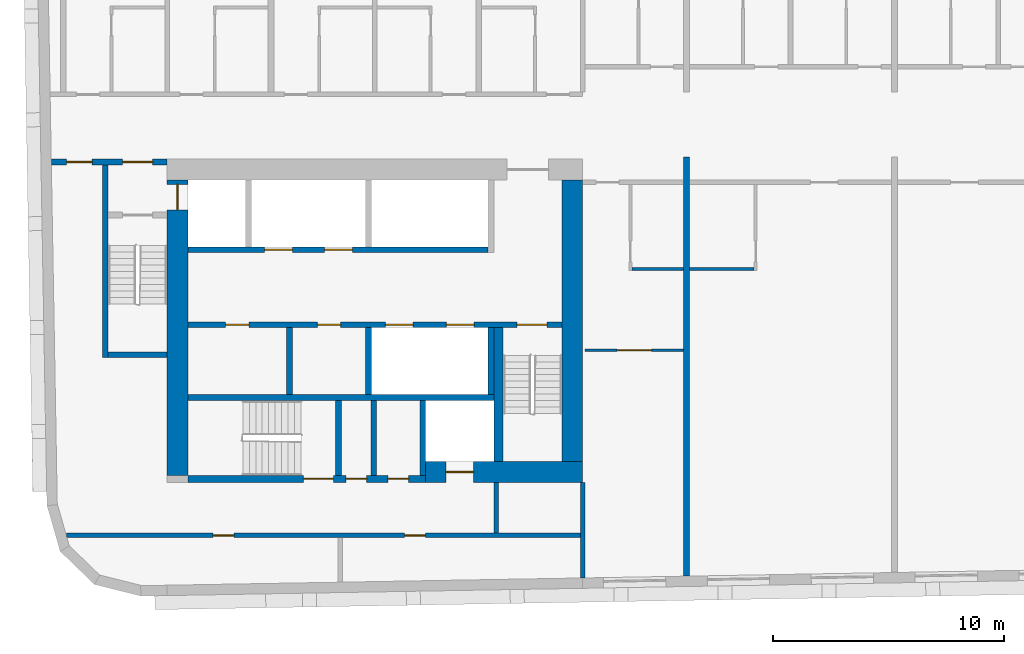
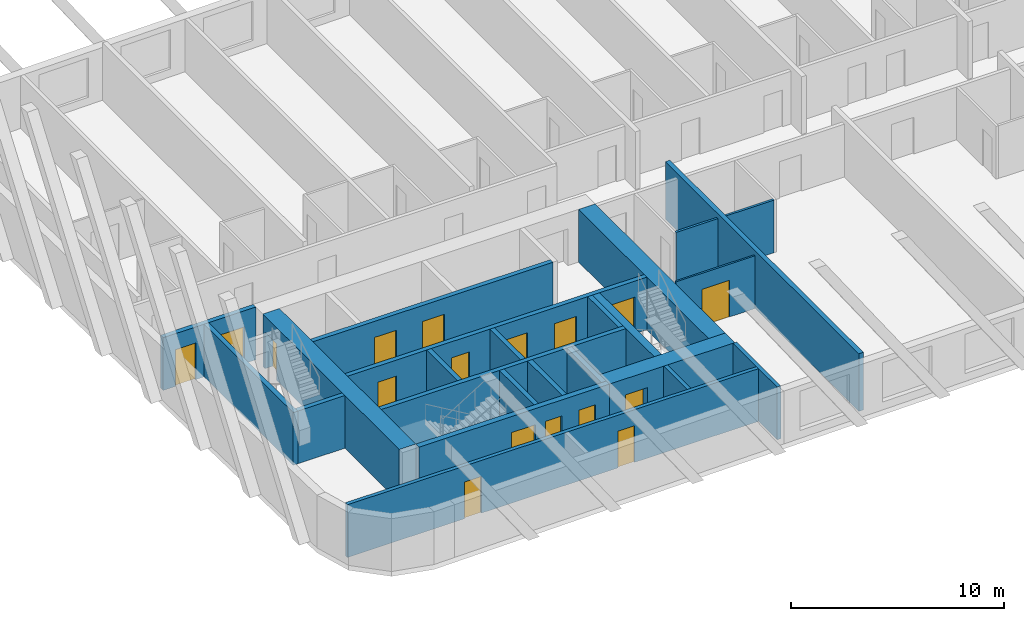
# One storey, part 2 of 13: 24 walls, 17 doors, 17 openings.
"""IFC4 building model written with IfcOpenShell, lengths in metres."""

from ifc_helpers import new_model, si_unit, direction, frame, frame_2d, origin, place, context, subcontext, project, spatial, rectangle, extrude, material, layer, layer_set, type_object, element, fill, save


model = new_model("IFC4")

# Units and contexts
model_context = context("Model", 3, precision=1e-05, world=origin(), true_north=direction((0.0, 1.0)))
body_context = subcontext(model_context, "Body", "Model", "MODEL_VIEW")
ifc_project = project(units=[si_unit("LENGTHUNIT", "METRE"), si_unit("AREAUNIT", "SQUARE_METRE"), si_unit("VOLUMEUNIT", "CUBIC_METRE"), si_unit("PLANEANGLEUNIT", "RADIAN"), si_unit("MASSUNIT", "GRAM", prefix="KILO")], contexts=[model_context])

# Site, building, storey
site_placement = place(None, origin())
site = spatial("IfcSite", under=ifc_project, at=site_placement, CompositionType="ELEMENT")
building_placement = place(site_placement, origin())
building = spatial("IfcBuilding", under=site, at=building_placement, Name="Kajstack Hotel Tower", CompositionType="ELEMENT")
storey_placement = place(building_placement, frame((0.0, 0.0, 237.5)))
storey = spatial("IfcBuildingStorey", under=building, at=storey_placement, Name="L58", CompositionType="ELEMENT", Elevation=237.5)

# Wall, opening, door
ifc_material_1 = material(Name="Concrete C60/75", Category="concrete")
ifc_layer_1 = layer(ifc_material_1, 0.89990234375)
ifc_layer_set_1 = layer_set([ifc_layer_1], Name="Core wall 900")
wall_type_1 = type_object("IfcWallType", Name="Core wall 900", PredefinedType="SHEAR", material=ifc_layer_set_1)
wall_1_placement = place(storey_placement, frame((-20.300048828125, -15.050048828125, 0.0), z_axis=(0.0, 0.0, 1.0), x_axis=(1.0, 0.0, 0.0)))
wall_1 = element("IfcWall", 1, at=wall_1_placement, inside=storey, type_object=wall_type_1, Name="Core wall W RS", PredefinedType="SHEAR", context=body_context, shape_type="SweptSolid", body=[
    extrude(rectangle(XDim=6.800048828125, YDim=0.89990234375, at=frame_2d((3.39990234375, 0.0))), origin(), (0.0, 0.0, 1.0), 3.02001953125),
])
opening_1_placement = place(wall_1_placement, frame((0.875, 0.0, 0.0)))
opening_1 = element("IfcOpeningElement", 2, at=opening_1_placement, cuts=wall_1, Name="Opening LD-SV1", PredefinedType="OPENING", context=body_context, shape_type="SweptSolid", body=[
    extrude(rectangle(XDim=1.199951171875, YDim=2.10009765625, at=frame_2d((0.60009765625, 1.050048828125))), frame((0.0, 0.4599609375, 0.0), z_axis=(0.0, -1.0, 0.0), x_axis=(1.0, 0.0, 0.0)), (0.0, 0.0, 1.0), 0.919921875),
])
ifc_material_2 = material(Name="Stainless steel", Category="steel")
door_type_1 = type_object("IfcDoorType", Name="Lift landing door 1200", OperationType="SLIDING_TO_LEFT", PredefinedType="DOOR", material=ifc_material_2)
door_1_placement = place(opening_1_placement, origin())
door_1 = element("IfcDoor", 3, at=door_1_placement, inside=storey, type_object=door_type_1, Name="Landing door SV1", OperationType="SLIDING_TO_LEFT", OverallHeight=2.10009765625, OverallWidth=1.199951171875, PredefinedType="DOOR", context=body_context, shape_type="SweptSolid", body=[
    extrude(rectangle(XDim=1.199951171875, YDim=2.10009765625, at=frame_2d((0.60009765625, 1.050048828125))), frame((0.0, 0.02490234375, 0.0), z_axis=(0.0, -1.0, 0.0), x_axis=(1.0, 0.0, 0.0)), (0.0, 0.0, 1.0), 0.050048828125),
])
fill(opening_1, door_1)

wall_2_placement = place(storey_placement, frame((-31.050048828125, -15.199951171875, 0.0), z_axis=(0.0, 0.0, 1.0), x_axis=(0.0, 1.0, 0.0)))
wall_2 = element("IfcWall", 4, at=wall_2_placement, inside=storey, type_object=wall_type_1, Name="Core wall W RW", PredefinedType="SHEAR", context=body_context, shape_type="SweptSolid", body=[
    extrude(rectangle(XDim=12.800048828125, YDim=0.89990234375, at=frame_2d((6.39990234375, 0.0))), origin(), (0.0, 0.0, 1.0), 3.02001953125),
])
opening_2_placement = place(wall_2_placement, frame((11.5, 0.0, 0.0)))
opening_2 = element("IfcOpeningElement", 5, at=opening_2_placement, cuts=wall_2, Name="Opening LD-FF1", PredefinedType="OPENING", context=body_context, shape_type="SweptSolid", body=[
    extrude(rectangle(XDim=1.10009765625, YDim=2.10009765625, at=frame_2d((0.550048828125, 1.050048828125))), frame((0.0, 0.4599609375, 0.0), z_axis=(0.0, -1.0, 0.0), x_axis=(1.0, 0.0, 0.0)), (0.0, 0.0, 1.0), 0.919921875),
])
door_type_2 = type_object("IfcDoorType", Name="Fire-fighting lift landing door 1100", OperationType="SLIDING_TO_LEFT", PredefinedType="DOOR", material=ifc_material_2)
door_2_placement = place(opening_2_placement, origin())
door_2 = element("IfcDoor", 6, at=door_2_placement, inside=storey, type_object=door_type_2, Name="Landing door FF1", OperationType="SLIDING_TO_RIGHT", OverallHeight=2.10009765625, OverallWidth=1.10009765625, PredefinedType="DOOR", context=body_context, shape_type="SweptSolid", body=[
    extrude(rectangle(XDim=1.10009765625, YDim=2.10009765625, at=frame_2d((0.550048828125, 1.050048828125))), frame((0.0, 0.02490234375, 0.0), z_axis=(0.0, -1.0, 0.0), x_axis=(1.0, 0.0, 0.0)), (0.0, 0.0, 1.0), 0.050048828125),
])
fill(opening_2, door_2)

# Walls
wall_3_placement = place(storey_placement, frame((-13.949951171875, -14.60009765625, 0.0), z_axis=(0.0, 0.0, 1.0), x_axis=(0.0, 1.0, 0.0)))
element("IfcWall", 7, at=wall_3_placement, inside=storey, type_object=wall_type_1, Name="Core wall W RE", PredefinedType="SHEAR", context=body_context, shape_type="SweptSolid", body=[
    extrude(rectangle(XDim=12.2001953125, YDim=0.89990234375, at=frame_2d((6.10009765625, 0.0))), origin(), (0.0, 0.0, 1.0), 3.02001953125),
])
ifc_material_3 = material(Name="Twin-frame gypsum board on steel studs, mineral wool", Category="steel")
ifc_layer_2 = layer(ifc_material_3, 0.199951171875)
ifc_layer_set_2 = layer_set([ifc_layer_2], Name="Demising wall 200")
wall_type_2 = type_object("IfcWallType", Name="Demising wall 200", PredefinedType="PARTITIONING", material=ifc_layer_set_2)
wall_4_placement = place(storey_placement, frame((-13.5, -19.64111328125, 0.0), z_axis=(0.0, 0.0, 1.0), x_axis=(0.0, 1.0, 0.0)))
element("IfcWall", 8, at=wall_4_placement, inside=storey, type_object=wall_type_2, Name="G-wall-L58-002", PredefinedType="PARTITIONING", context=body_context, shape_type="SweptSolid", body=[
    extrude(rectangle(XDim=4.14111328125, YDim=0.199951171875, at=frame_2d((2.070556640625, 0.0))), origin(), (0.0, 0.0, 1.0), 3.02001953125),
])
ifc_material_4 = material(Name="Gypsum board and tiled backer on steel studs", Category="steel")
ifc_layer_3 = layer(ifc_material_4, 0.125)
ifc_layer_set_3 = layer_set([ifc_layer_3], Name="En-suite wall 125")
wall_type_3 = type_object("IfcWallType", Name="En-suite wall 125", PredefinedType="PARTITIONING", material=ifc_layer_set_3)
wall_5_placement = place(storey_placement, frame((-11.375, -6.262939453125, 0.0), z_axis=(0.0, 0.0, 1.0), x_axis=(1.0, 0.0, 0.0)))
element("IfcWall", 9, at=wall_5_placement, inside=storey, type_object=wall_type_3, Name="G-wall-L58-036", PredefinedType="PARTITIONING", context=body_context, shape_type="SweptSolid", body=[
    extrude(rectangle(XDim=2.25, YDim=0.125, at=frame_2d((1.125, 0.0))), origin(), (0.0, 0.0, 1.0), 3.02001953125),
])
wall_6_placement = place(storey_placement, frame((-8.875, -6.262939453125, 0.0), z_axis=(0.0, 0.0, 1.0), x_axis=(1.0, 0.0, 0.0)))
element("IfcWall", 10, at=wall_6_placement, inside=storey, type_object=wall_type_3, Name="G-wall-L58-039", PredefinedType="PARTITIONING", context=body_context, shape_type="SweptSolid", body=[
    extrude(rectangle(XDim=2.800048828125, YDim=0.125, at=frame_2d((1.39990234375, 0.0))), origin(), (0.0, 0.0, 1.0), 3.02001953125),
])
ifc_material_5 = material(Name="Concrete C50/60", Category="concrete")
ifc_layer_4 = layer(ifc_material_5, 0.300048828125)
ifc_layer_set_4 = layer_set([ifc_layer_4], Name="Hoistway divider wall 300")
wall_type_4 = type_object("IfcWallType", Name="Hoistway divider wall 300", PredefinedType="SHEAR", material=ifc_layer_set_4)
wall_7_placement = place(storey_placement, frame((-22.77490234375, -11.699951171875, 0.0), z_axis=(0.0, 0.0, 1.0), x_axis=(0.0, 1.0, 0.0)))
element("IfcWall", 11, at=wall_7_placement, inside=storey, type_object=wall_type_4, Name="Core wall W BP2", PredefinedType="SHEAR", context=body_context, shape_type="SweptSolid", body=[
    extrude(rectangle(XDim=2.89990234375, YDim=0.25, at=frame_2d((1.449951171875, 0.0))), origin(), (0.0, 0.0, 1.0), 3.02001953125),
])

# Wall, opening, door
ifc_material_6 = material(Name="Gypsum board on steel studs", Category="steel")
ifc_layer_5 = layer(ifc_material_6, 0.10009765625)
ifc_layer_set_5 = layer_set([ifc_layer_5], Name="Partition 100")
wall_type_5 = type_object("IfcWallType", Name="Partition 100", PredefinedType="PARTITIONING", material=ifc_layer_set_5)
wall_8_placement = place(storey_placement, frame((-13.39990234375, -9.77490234375, 0.0), z_axis=(0.0, 0.0, 1.0), x_axis=(1.0, 0.0, 0.0)))
wall_8 = element("IfcWall", 12, at=wall_8_placement, inside=storey, type_object=wall_type_5, Name="G-wall-L58-037", PredefinedType="PARTITIONING", context=body_context, shape_type="SweptSolid", body=[
    extrude(rectangle(XDim=4.27490234375, YDim=0.10009765625, at=frame_2d((2.137451171875, 0.0))), origin(), (0.0, 0.0, 1.0), 3.02001953125),
])
opening_3_placement = place(wall_8_placement, frame((1.387939453125, 0.0, 0.0)))
opening_3 = element("IfcOpeningElement", 13, at=opening_3_placement, cuts=wall_8, Name="Opening 58026", PredefinedType="OPENING", context=body_context, shape_type="SweptSolid", body=[
    extrude(rectangle(XDim=1.5, YDim=2.10009765625, at=frame_2d((0.75, 1.050048828125))), frame((0.0, 0.06005859375, 0.0), z_axis=(0.0, -1.0, 0.0), x_axis=(1.0, 0.0, 0.0)), (0.0, 0.0, 1.0), 0.1201171875),
])
ifc_material_7 = material(Name="Painted timber door leaves, glazed panels", Category="wood")
door_type_3 = type_object("IfcDoorType", Name="Double door 1500", OperationType="SINGLE_SWING_LEFT", PredefinedType="DOOR", material=ifc_material_7)
door_3_placement = place(opening_3_placement, origin())
door_3 = element("IfcDoor", 14, at=door_3_placement, inside=storey, type_object=door_type_3, Name="G-door-L58-26", OperationType="SINGLE_SWING_LEFT", OverallHeight=2.10009765625, OverallWidth=1.5, PredefinedType="DOOR", context=body_context, shape_type="SweptSolid", body=[
    extrude(rectangle(XDim=1.5, YDim=2.10009765625, at=frame_2d((0.75, 1.050048828125))), frame((0.0, 0.02490234375, 0.0), z_axis=(0.0, -1.0, 0.0), x_axis=(1.0, 0.0, 0.0)), (0.0, 0.0, 1.0), 0.050048828125),
])
fill(opening_3, door_3)

# Walls
ifc_material_8 = material(Name="Concrete C45/55", Category="concrete")
ifc_layer_6 = layer(ifc_material_8, 0.25)
ifc_layer_set_6 = layer_set([ifc_layer_6], Name="RC cross wall 250 C45/55")
wall_type_6 = type_object("IfcWallType", Name="RC cross wall 250 C45/55", PredefinedType="SHEAR", material=ifc_layer_set_6)
wall_9_placement = place(storey_placement, frame((-9.0, -19.55029296875, 0.0), z_axis=(0.0, 0.0, 1.0), x_axis=(0.0, 1.0, 0.0)))
element("IfcWall", 15, at=wall_9_placement, inside=storey, type_object=wall_type_6, Name="S-wall-L58-04", PredefinedType="SHEAR", context=body_context, shape_type="SweptSolid", body=[
    extrude(rectangle(XDim=18.150390625, YDim=0.25, at=frame_2d((9.0751953125, 0.0))), origin(), (0.0, 0.0, 1.0), 3.300048828125),
])
ifc_material_9 = material(Name="Concrete block masonry", Category="masonry")
ifc_layer_7 = layer(ifc_material_9, 0.25)
ifc_layer_set_7 = layer_set([ifc_layer_7], Name="Riser partition 250")
wall_type_7 = type_object("IfcWallType", Name="Riser partition 250", PredefinedType="PARTITIONING", material=ifc_layer_set_7)
wall_10_placement = place(storey_placement, frame((-26.199951171875, -11.699951171875, 0.0), z_axis=(0.0, 0.0, 1.0), x_axis=(0.0, 1.0, 0.0)))
element("IfcWall", 16, at=wall_10_placement, inside=storey, type_object=wall_type_7, Name="Partition W BF0", PredefinedType="PARTITIONING", context=body_context, shape_type="SweptSolid", body=[
    extrude(rectangle(XDim=2.89990234375, YDim=0.25, at=frame_2d((1.449951171875, 0.0))), origin(), (0.0, 0.0, 1.0), 3.02001953125),
])
wall_11_placement = place(storey_placement, frame((-22.550048828125, -15.199951171875, 0.0), z_axis=(0.0, 0.0, 1.0), x_axis=(0.0, 1.0, 0.0)))
element("IfcWall", 17, at=wall_11_placement, inside=storey, type_object=wall_type_7, Name="Partition W SZ0", PredefinedType="PARTITIONING", context=body_context, shape_type="SweptSolid", body=[
    extrude(rectangle(XDim=3.25, YDim=0.25, at=frame_2d((1.625, 0.0))), origin(), (0.0, 0.0, 1.0), 3.02001953125),
])

# Wall, openings, doors
ifc_material_10 = material(Name="Gypsum board on steel studs, mineral wool", Category="steel")
ifc_layer_8 = layer(ifc_material_10, 0.199951171875)
ifc_layer_set_8 = layer_set([ifc_layer_8], Name="Service partition 200")
wall_type_8 = type_object("IfcWallType", Name="Service partition 200", PredefinedType="PARTITIONING", material=ifc_layer_set_8)
wall_12_placement = place(storey_placement, frame((-36.515380859375, -1.625, 0.0), z_axis=(0.0, 0.0, 1.0), x_axis=(1.0, 0.0, 0.0)))
wall_12 = element("IfcWall", 18, at=wall_12_placement, inside=storey, type_object=wall_type_8, Name="Partition W SN", PredefinedType="PARTITIONING", context=body_context, shape_type="SweptSolid", body=[
    extrude(rectangle(XDim=5.015380859375, YDim=0.25, at=frame_2d((2.5078125, 0.0))), origin(), (0.0, 0.0, 1.0), 3.02001953125),
])
opening_4_placement = place(wall_12_placement, frame((3.09033203125, 0.0, 0.0)))
opening_4 = element("IfcOpeningElement", 19, at=opening_4_placement, cuts=wall_12, Name="Opening 58W08", PredefinedType="OPENING", context=body_context, shape_type="SweptSolid", body=[
    extrude(rectangle(XDim=1.300048828125, YDim=2.10009765625, at=frame_2d((0.64990234375, 1.050048828125))), frame((0.0, 0.135009765625, 0.0), z_axis=(0.0, -1.0, 0.0), x_axis=(1.0, 0.0, 0.0)), (0.0, 0.0, 1.0), 0.27001953125),
])
opening_5_placement = place(wall_12_placement, frame((0.665283203125, 0.0, 0.0)))
opening_5 = element("IfcOpeningElement", 20, at=opening_5_placement, cuts=wall_12, Name="Opening 58W10", PredefinedType="OPENING", context=body_context, shape_type="SweptSolid", body=[
    extrude(rectangle(XDim=1.10009765625, YDim=2.10009765625, at=frame_2d((0.550048828125, 1.050048828125))), frame((0.0, 0.135009765625, 0.0), z_axis=(0.0, -1.0, 0.0), x_axis=(1.0, 0.0, 0.0)), (0.0, 0.0, 1.0), 0.27001953125),
])
ifc_material_11 = material(Name="Steel leaf, fire-rated", Category="steel")
door_type_4 = type_object("IfcDoorType", Name="Fire lobby door 1300", OperationType="SINGLE_SWING_LEFT", PredefinedType="DOOR", material=ifc_material_11)
door_4_placement = place(opening_4_placement, origin())
door_4 = element("IfcDoor", 21, at=door_4_placement, inside=storey, type_object=door_type_4, Name="Door 58W08", OperationType="SINGLE_SWING_RIGHT", OverallHeight=2.10009765625, OverallWidth=1.300048828125, PredefinedType="DOOR", context=body_context, shape_type="SweptSolid", body=[
    extrude(rectangle(XDim=1.300048828125, YDim=2.10009765625, at=frame_2d((0.64990234375, 1.050048828125))), frame((0.0, 0.02490234375, 0.0), z_axis=(0.0, -1.0, 0.0), x_axis=(1.0, 0.0, 0.0)), (0.0, 0.0, 1.0), 0.050048828125),
])
fill(opening_4, door_4)
ifc_material_12 = material(Name="Timber leaf, fire-rated", Category="wood")
door_type_5 = type_object("IfcDoorType", Name="Service corridor door 1100", OperationType="SINGLE_SWING_LEFT", PredefinedType="DOOR", material=ifc_material_12)
door_5_placement = place(opening_5_placement, origin())
door_5 = element("IfcDoor", 22, at=door_5_placement, inside=storey, type_object=door_type_5, Name="Door 58W10", OperationType="SINGLE_SWING_RIGHT", OverallHeight=2.10009765625, OverallWidth=1.10009765625, PredefinedType="DOOR", context=body_context, shape_type="SweptSolid", body=[
    extrude(rectangle(XDim=1.10009765625, YDim=2.10009765625, at=frame_2d((0.550048828125, 1.050048828125))), frame((0.0, 0.02490234375, 0.0), z_axis=(0.0, -1.0, 0.0), x_axis=(1.0, 0.0, 0.0)), (0.0, 0.0, 1.0), 0.050048828125),
])
fill(opening_5, door_5)

# Wall
wall_13_placement = place(storey_placement, frame((-17.25, -17.699951171875, 0.0), z_axis=(0.0, 0.0, 1.0), x_axis=(0.0, 1.0, 0.0)))
element("IfcWall", 23, at=wall_13_placement, inside=storey, type_object=wall_type_8, Name="Partition W SCE", PredefinedType="PARTITIONING", context=body_context, shape_type="SweptSolid", body=[
    extrude(rectangle(XDim=2.199951171875, YDim=0.199951171875, at=frame_2d((1.10009765625, 0.0))), origin(), (0.0, 0.0, 1.0), 3.02001953125),
])

# Wall, openings, doors
wall_14_placement = place(storey_placement, frame((-35.86376953125, -17.800048828125, 0.0), z_axis=(0.0, 0.0, 1.0), x_axis=(1.0, 0.0, 0.0)))
wall_14 = element("IfcWall", 24, at=wall_14_placement, inside=storey, type_object=wall_type_8, Name="Partition W SLN", PredefinedType="PARTITIONING", context=body_context, shape_type="SweptSolid", body=[
    extrude(rectangle(XDim=22.263671875, YDim=0.199951171875, at=frame_2d((11.1318359375, 0.0))), origin(), (0.0, 0.0, 1.0), 3.02001953125),
])
opening_6_placement = place(wall_14_placement, frame((6.351318359375, 0.0, 0.0)))
opening_6 = element("IfcOpeningElement", 25, at=opening_6_placement, cuts=wall_14, Name="Opening 58W17", PredefinedType="OPENING", context=body_context, shape_type="SweptSolid", body=[
    extrude(rectangle(XDim=0.89990234375, YDim=2.10009765625, at=frame_2d((0.449951171875, 1.050048828125))), frame((0.0, 0.10986328125, 0.0), z_axis=(0.0, -1.0, 0.0), x_axis=(1.0, 0.0, 0.0)), (0.0, 0.0, 1.0), 0.219970703125),
])
opening_7_placement = place(wall_14_placement, frame((14.651123046875, 0.0, 0.0)))
opening_7 = element("IfcOpeningElement", 26, at=opening_7_placement, cuts=wall_14, Name="Opening 58W18", PredefinedType="OPENING", context=body_context, shape_type="SweptSolid", body=[
    extrude(rectangle(XDim=0.89990234375, YDim=2.10009765625, at=frame_2d((0.449951171875, 1.050048828125))), frame((0.0, 0.10986328125, 0.0), z_axis=(0.0, -1.0, 0.0), x_axis=(1.0, 0.0, 0.0)), (0.0, 0.0, 1.0), 0.219970703125),
])
door_type_6 = type_object("IfcDoorType", Name="Service door 900", OperationType="SINGLE_SWING_LEFT", PredefinedType="DOOR", material=ifc_material_12)
door_6_placement = place(opening_6_placement, origin())
door_6 = element("IfcDoor", 27, at=door_6_placement, inside=storey, type_object=door_type_6, Name="Door 58W17", OperationType="SINGLE_SWING_RIGHT", OverallHeight=2.10009765625, OverallWidth=0.89990234375, PredefinedType="DOOR", context=body_context, shape_type="SweptSolid", body=[
    extrude(rectangle(XDim=0.89990234375, YDim=2.10009765625, at=frame_2d((0.449951171875, 1.050048828125))), frame((0.0, 0.02490234375, 0.0), z_axis=(0.0, -1.0, 0.0), x_axis=(1.0, 0.0, 0.0)), (0.0, 0.0, 1.0), 0.050048828125),
])
fill(opening_6, door_6)
door_7_placement = place(opening_7_placement, origin())
door_7 = element("IfcDoor", 28, at=door_7_placement, inside=storey, type_object=door_type_6, Name="Door 58W18", OperationType="SINGLE_SWING_RIGHT", OverallHeight=2.10009765625, OverallWidth=0.89990234375, PredefinedType="DOOR", context=body_context, shape_type="SweptSolid", body=[
    extrude(rectangle(XDim=0.89990234375, YDim=2.10009765625, at=frame_2d((0.449951171875, 1.050048828125))), frame((0.0, 0.02490234375, 0.0), z_axis=(0.0, -1.0, 0.0), x_axis=(1.0, 0.0, 0.0)), (0.0, 0.0, 1.0), 0.050048828125),
])
fill(opening_7, door_7)

ifc_layer_9 = layer(ifc_material_5, 0.25)
ifc_layer_set_9 = layer_set([ifc_layer_9], Name="Shaft wall 250")
wall_type_9 = type_object("IfcWallType", Name="Shaft wall 250", PredefinedType="SHEAR", material=ifc_layer_set_9)
wall_15_placement = place(storey_placement, frame((-30.60009765625, -15.35009765625, 0.0), z_axis=(0.0, 0.0, 1.0), x_axis=(1.0, 0.0, 0.0)))
wall_15 = element("IfcWall", 29, at=wall_15_placement, inside=storey, type_object=wall_type_9, Name="Core wall W RSS", PredefinedType="SHEAR", context=body_context, shape_type="SweptSolid", body=[
    extrude(rectangle(XDim=10.300048828125, YDim=0.300048828125, at=frame_2d((5.14990234375, 0.0))), origin(), (0.0, 0.0, 1.0), 3.02001953125),
])
opening_8_placement = place(wall_15_placement, frame((5.0, 0.0, 0.0)))
opening_8 = element("IfcOpeningElement", 30, at=opening_8_placement, cuts=wall_15, Name="Opening 58W12", PredefinedType="OPENING", context=body_context, shape_type="SweptSolid", body=[
    extrude(rectangle(XDim=1.300048828125, YDim=2.10009765625, at=frame_2d((0.64990234375, 1.050048828125))), frame((0.0, 0.159912109375, 0.0), z_axis=(0.0, -1.0, 0.0), x_axis=(1.0, 0.0, 0.0)), (0.0, 0.0, 1.0), 0.320068359375),
])
opening_9_placement = place(wall_15_placement, frame((6.83740234375, 0.0, 0.0)))
opening_9 = element("IfcOpeningElement", 31, at=opening_9_placement, cuts=wall_15, Name="Opening 58W13", PredefinedType="OPENING", context=body_context, shape_type="SweptSolid", body=[
    extrude(rectangle(XDim=0.89990234375, YDim=2.10009765625, at=frame_2d((0.449951171875, 1.050048828125))), frame((0.0, 0.159912109375, 0.0), z_axis=(0.0, -1.0, 0.0), x_axis=(1.0, 0.0, 0.0)), (0.0, 0.0, 1.0), 0.320068359375),
])
opening_10_placement = place(wall_15_placement, frame((8.66259765625, 0.0, 0.0)))
opening_10 = element("IfcOpeningElement", 32, at=opening_10_placement, cuts=wall_15, Name="Opening 58W14", PredefinedType="OPENING", context=body_context, shape_type="SweptSolid", body=[
    extrude(rectangle(XDim=0.89990234375, YDim=2.10009765625, at=frame_2d((0.449951171875, 1.050048828125))), frame((0.0, 0.159912109375, 0.0), z_axis=(0.0, -1.0, 0.0), x_axis=(1.0, 0.0, 0.0)), (0.0, 0.0, 1.0), 0.320068359375),
])
door_type_7 = type_object("IfcDoorType", Name="Riser door 900", OperationType="SINGLE_SWING_LEFT", PredefinedType="DOOR", material=ifc_material_11)
door_8_placement = place(opening_10_placement, origin())
door_8 = element("IfcDoor", 33, at=door_8_placement, inside=storey, type_object=door_type_7, Name="Door 58W14", OperationType="SINGLE_SWING_LEFT", OverallHeight=2.10009765625, OverallWidth=0.89990234375, PredefinedType="DOOR", context=body_context, shape_type="SweptSolid", body=[
    extrude(rectangle(XDim=0.89990234375, YDim=2.10009765625, at=frame_2d((0.449951171875, 1.050048828125))), frame((0.0, 0.02490234375, 0.0), z_axis=(0.0, -1.0, 0.0), x_axis=(1.0, 0.0, 0.0)), (0.0, 0.0, 1.0), 0.050048828125),
])
fill(opening_10, door_8)
door_9_placement = place(opening_9_placement, origin())
door_9 = element("IfcDoor", 34, at=door_9_placement, inside=storey, type_object=door_type_6, Name="Door 58W13", OperationType="SINGLE_SWING_LEFT", OverallHeight=2.10009765625, OverallWidth=0.89990234375, PredefinedType="DOOR", context=body_context, shape_type="SweptSolid", body=[
    extrude(rectangle(XDim=0.89990234375, YDim=2.10009765625, at=frame_2d((0.449951171875, 1.050048828125))), frame((0.0, 0.02490234375, 0.0), z_axis=(0.0, -1.0, 0.0), x_axis=(1.0, 0.0, 0.0)), (0.0, 0.0, 1.0), 0.050048828125),
])
fill(opening_9, door_9)
door_type_8 = type_object("IfcDoorType", Name="Stair door 1300", OperationType="SINGLE_SWING_LEFT", PredefinedType="DOOR", material=ifc_material_11)
door_10_placement = place(opening_8_placement, origin())
door_10 = element("IfcDoor", 35, at=door_10_placement, inside=storey, type_object=door_type_8, Name="Door 58W12", OperationType="SINGLE_SWING_RIGHT", OverallHeight=2.10009765625, OverallWidth=1.300048828125, PredefinedType="DOOR", context=body_context, shape_type="SweptSolid", body=[
    extrude(rectangle(XDim=1.300048828125, YDim=2.10009765625, at=frame_2d((0.64990234375, 1.050048828125))), frame((0.0, 0.02490234375, 0.0), z_axis=(0.0, -1.0, 0.0), x_axis=(1.0, 0.0, 0.0)), (0.0, 0.0, 1.0), 0.050048828125),
])
fill(opening_8, door_10)

wall_16_placement = place(storey_placement, frame((-30.60009765625, -5.425048828125, 0.0), z_axis=(0.0, 0.0, 1.0), x_axis=(1.0, 0.0, 0.0)))
wall_16 = element("IfcWall", 36, at=wall_16_placement, inside=storey, type_object=wall_type_9, Name="Core wall W FA", PredefinedType="SHEAR", context=body_context, shape_type="SweptSolid", body=[
    extrude(rectangle(XDim=13.0, YDim=0.25, at=frame_2d((6.5, 0.0))), origin(), (0.0, 0.0, 1.0), 3.02001953125),
])
opening_11_placement = place(wall_16_placement, frame((3.324951171875, 0.0, 0.0)))
opening_11 = element("IfcOpeningElement", 37, at=opening_11_placement, cuts=wall_16, Name="Opening LD-MR3", PredefinedType="OPENING", context=body_context, shape_type="SweptSolid", body=[
    extrude(rectangle(XDim=1.199951171875, YDim=2.10009765625, at=frame_2d((0.60009765625, 1.050048828125))), frame((0.0, 0.135009765625, 0.0), z_axis=(0.0, -1.0, 0.0), x_axis=(1.0, 0.0, 0.0)), (0.0, 0.0, 1.0), 0.27001953125),
])
opening_12_placement = place(wall_16_placement, frame((5.925048828125, 0.0, 0.0)))
opening_12 = element("IfcOpeningElement", 38, at=opening_12_placement, cuts=wall_16, Name="Opening LD-MR4", PredefinedType="OPENING", context=body_context, shape_type="SweptSolid", body=[
    extrude(rectangle(XDim=1.199951171875, YDim=2.10009765625, at=frame_2d((0.60009765625, 1.050048828125))), frame((0.0, 0.135009765625, 0.0), z_axis=(0.0, -1.0, 0.0), x_axis=(1.0, 0.0, 0.0)), (0.0, 0.0, 1.0), 0.27001953125),
])
door_11_placement = place(opening_11_placement, origin())
door_11 = element("IfcDoor", 39, at=door_11_placement, inside=storey, type_object=door_type_1, Name="Landing door MR3", OperationType="SLIDING_TO_RIGHT", OverallHeight=2.10009765625, OverallWidth=1.199951171875, PredefinedType="DOOR", context=body_context, shape_type="SweptSolid", body=[
    extrude(rectangle(XDim=1.199951171875, YDim=2.10009765625, at=frame_2d((0.60009765625, 1.050048828125))), frame((0.0, 0.02490234375, 0.0), z_axis=(0.0, -1.0, 0.0), x_axis=(1.0, 0.0, 0.0)), (0.0, 0.0, 1.0), 0.050048828125),
])
fill(opening_11, door_11)
door_12_placement = place(opening_12_placement, origin())
door_12 = element("IfcDoor", 40, at=door_12_placement, inside=storey, type_object=door_type_1, Name="Landing door MR4", OperationType="SLIDING_TO_RIGHT", OverallHeight=2.10009765625, OverallWidth=1.199951171875, PredefinedType="DOOR", context=body_context, shape_type="SweptSolid", body=[
    extrude(rectangle(XDim=1.199951171875, YDim=2.10009765625, at=frame_2d((0.60009765625, 1.050048828125))), frame((0.0, 0.02490234375, 0.0), z_axis=(0.0, -1.0, 0.0), x_axis=(1.0, 0.0, 0.0)), (0.0, 0.0, 1.0), 0.050048828125),
])
fill(opening_12, door_12)

wall_17_placement = place(storey_placement, frame((-30.60009765625, -8.675048828125, 0.0), z_axis=(0.0, 0.0, 1.0), x_axis=(1.0, 0.0, 0.0)))
wall_17 = element("IfcWall", 41, at=wall_17_placement, inside=storey, type_object=wall_type_9, Name="Core wall W FB", PredefinedType="SHEAR", context=body_context, shape_type="SweptSolid", body=[
    extrude(rectangle(XDim=16.2001953125, YDim=0.25, at=frame_2d((8.10009765625, 0.0))), origin(), (0.0, 0.0, 1.0), 3.02001953125),
])
opening_13_placement = place(wall_17_placement, frame((8.550048828125, 0.0, 0.0)))
opening_13 = element("IfcOpeningElement", 42, at=opening_13_placement, cuts=wall_17, Name="Opening LD-MR1", PredefinedType="OPENING", context=body_context, shape_type="SweptSolid", body=[
    extrude(rectangle(XDim=1.199951171875, YDim=2.10009765625, at=frame_2d((0.60009765625, 1.050048828125))), frame((0.0, 0.135009765625, 0.0), z_axis=(0.0, -1.0, 0.0), x_axis=(1.0, 0.0, 0.0)), (0.0, 0.0, 1.0), 0.27001953125),
])
opening_14_placement = place(wall_17_placement, frame((11.199951171875, 0.0, 0.0)))
opening_14 = element("IfcOpeningElement", 43, at=opening_14_placement, cuts=wall_17, Name="Opening LD-MR2", PredefinedType="OPENING", context=body_context, shape_type="SweptSolid", body=[
    extrude(rectangle(XDim=1.199951171875, YDim=2.10009765625, at=frame_2d((0.60009765625, 1.050048828125))), frame((0.0, 0.135009765625, 0.0), z_axis=(0.0, -1.0, 0.0), x_axis=(1.0, 0.0, 0.0)), (0.0, 0.0, 1.0), 0.27001953125),
])
opening_15_placement = place(wall_17_placement, frame((14.25, 0.0, 0.0)))
opening_15 = element("IfcOpeningElement", 44, at=opening_15_placement, cuts=wall_17, Name="Opening 58W11", PredefinedType="OPENING", context=body_context, shape_type="SweptSolid", body=[
    extrude(rectangle(XDim=1.300048828125, YDim=2.10009765625, at=frame_2d((0.64990234375, 1.050048828125))), frame((0.0, 0.135009765625, 0.0), z_axis=(0.0, -1.0, 0.0), x_axis=(1.0, 0.0, 0.0)), (0.0, 0.0, 1.0), 0.27001953125),
])
opening_16_placement = place(wall_17_placement, frame((1.637451171875, 0.0, 0.0)))
opening_16 = element("IfcOpeningElement", 45, at=opening_16_placement, cuts=wall_17, Name="Opening 58W15", PredefinedType="OPENING", context=body_context, shape_type="SweptSolid", body=[
    extrude(rectangle(XDim=1.0, YDim=2.10009765625, at=frame_2d((0.5, 1.050048828125))), frame((0.0, 0.135009765625, 0.0), z_axis=(0.0, -1.0, 0.0), x_axis=(1.0, 0.0, 0.0)), (0.0, 0.0, 1.0), 0.27001953125),
])
opening_17_placement = place(wall_17_placement, frame((5.612548828125, 0.0, 0.0)))
opening_17 = element("IfcOpeningElement", 46, at=opening_17_placement, cuts=wall_17, Name="Opening 58W16", PredefinedType="OPENING", context=body_context, shape_type="SweptSolid", body=[
    extrude(rectangle(XDim=1.0, YDim=2.10009765625, at=frame_2d((0.5, 1.050048828125))), frame((0.0, 0.135009765625, 0.0), z_axis=(0.0, -1.0, 0.0), x_axis=(1.0, 0.0, 0.0)), (0.0, 0.0, 1.0), 0.27001953125),
])
door_13_placement = place(opening_13_placement, origin())
door_13 = element("IfcDoor", 47, at=door_13_placement, inside=storey, type_object=door_type_1, Name="Landing door MR1", OperationType="SLIDING_TO_LEFT", OverallHeight=2.10009765625, OverallWidth=1.199951171875, PredefinedType="DOOR", context=body_context, shape_type="SweptSolid", body=[
    extrude(rectangle(XDim=1.199951171875, YDim=2.10009765625, at=frame_2d((0.60009765625, 1.050048828125))), frame((0.0, 0.02490234375, 0.0), z_axis=(0.0, -1.0, 0.0), x_axis=(1.0, 0.0, 0.0)), (0.0, 0.0, 1.0), 0.050048828125),
])
fill(opening_13, door_13)
door_14_placement = place(opening_14_placement, origin())
door_14 = element("IfcDoor", 48, at=door_14_placement, inside=storey, type_object=door_type_1, Name="Landing door MR2", OperationType="SLIDING_TO_RIGHT", OverallHeight=2.10009765625, OverallWidth=1.199951171875, PredefinedType="DOOR", context=body_context, shape_type="SweptSolid", body=[
    extrude(rectangle(XDim=1.199951171875, YDim=2.10009765625, at=frame_2d((0.60009765625, 1.050048828125))), frame((0.0, 0.02490234375, 0.0), z_axis=(0.0, -1.0, 0.0), x_axis=(1.0, 0.0, 0.0)), (0.0, 0.0, 1.0), 0.050048828125),
])
fill(opening_14, door_14)
door_type_9 = type_object("IfcDoorType", Name="Service room door 1000", OperationType="SINGLE_SWING_LEFT", PredefinedType="DOOR", material=ifc_material_12)
door_15_placement = place(opening_16_placement, origin())
door_15 = element("IfcDoor", 49, at=door_15_placement, inside=storey, type_object=door_type_9, Name="Door 58W15", OperationType="SINGLE_SWING_RIGHT", OverallHeight=2.10009765625, OverallWidth=1.0, PredefinedType="DOOR", context=body_context, shape_type="SweptSolid", body=[
    extrude(rectangle(XDim=1.0, YDim=2.10009765625, at=frame_2d((0.5, 1.050048828125))), frame((0.0, 0.02490234375, 0.0), z_axis=(0.0, -1.0, 0.0), x_axis=(1.0, 0.0, 0.0)), (0.0, 0.0, 1.0), 0.050048828125),
])
fill(opening_16, door_15)
door_16_placement = place(opening_17_placement, origin())
door_16 = element("IfcDoor", 50, at=door_16_placement, inside=storey, type_object=door_type_9, Name="Door 58W16", OperationType="SINGLE_SWING_RIGHT", OverallHeight=2.10009765625, OverallWidth=1.0, PredefinedType="DOOR", context=body_context, shape_type="SweptSolid", body=[
    extrude(rectangle(XDim=1.0, YDim=2.10009765625, at=frame_2d((0.5, 1.050048828125))), frame((0.0, 0.02490234375, 0.0), z_axis=(0.0, -1.0, 0.0), x_axis=(1.0, 0.0, 0.0)), (0.0, 0.0, 1.0), 0.050048828125),
])
fill(opening_17, door_16)
door_17_placement = place(opening_15_placement, origin())
door_17 = element("IfcDoor", 51, at=door_17_placement, inside=storey, type_object=door_type_8, Name="Door 58W11", OperationType="SINGLE_SWING_RIGHT", OverallHeight=2.10009765625, OverallWidth=1.300048828125, PredefinedType="DOOR", context=body_context, shape_type="SweptSolid", body=[
    extrude(rectangle(XDim=1.300048828125, YDim=2.10009765625, at=frame_2d((0.64990234375, 1.050048828125))), frame((0.0, 0.02490234375, 0.0), z_axis=(0.0, -1.0, 0.0), x_axis=(1.0, 0.0, 0.0)), (0.0, 0.0, 1.0), 0.050048828125),
])
fill(opening_15, door_17)

# Walls
wall_18_placement = place(storey_placement, frame((-30.60009765625, -11.824951171875, 0.0), z_axis=(0.0, 0.0, 1.0), x_axis=(1.0, 0.0, 0.0)))
element("IfcWall", 52, at=wall_18_placement, inside=storey, type_object=wall_type_9, Name="Core wall W RB", PredefinedType="SHEAR", context=body_context, shape_type="SweptSolid", body=[
    extrude(rectangle(XDim=13.25, YDim=0.25, at=frame_2d((6.625, 0.0))), origin(), (0.0, 0.0, 1.0), 3.02001953125),
])
wall_19_placement = place(storey_placement, frame((-17.47509765625, -11.699951171875, 0.0), z_axis=(0.0, 0.0, 1.0), x_axis=(0.0, 1.0, 0.0)))
element("IfcWall", 53, at=wall_19_placement, inside=storey, type_object=wall_type_9, Name="Core wall W BE", PredefinedType="SHEAR", context=body_context, shape_type="SweptSolid", body=[
    extrude(rectangle(XDim=2.89990234375, YDim=0.25, at=frame_2d((1.449951171875, 0.0))), origin(), (0.0, 0.0, 1.0), 3.02001953125),
])
wall_20_placement = place(storey_placement, frame((-20.425048828125, -15.199951171875, 0.0), z_axis=(0.0, 0.0, 1.0), x_axis=(0.0, 1.0, 0.0)))
element("IfcWall", 54, at=wall_20_placement, inside=storey, type_object=wall_type_9, Name="Core wall W SVW", PredefinedType="SHEAR", context=body_context, shape_type="SweptSolid", body=[
    extrude(rectangle(XDim=3.25, YDim=0.25, at=frame_2d((1.625, 0.0))), origin(), (0.0, 0.0, 1.0), 3.02001953125),
])
ifc_material_13 = material(Name="Concrete C40/50", Category="concrete")
ifc_layer_10 = layer(ifc_material_13, 0.25)
ifc_layer_set_10 = layer_set([ifc_layer_10], Name="Stair enclosure wall 250")
wall_type_10 = type_object("IfcWallType", Name="Stair enclosure wall 250", PredefinedType="SHEAR", material=ifc_layer_set_10)
wall_21_placement = place(storey_placement, frame((-34.175048828125, -10.10009765625, 0.0), z_axis=(0.0, 0.0, 1.0), x_axis=(0.0, 1.0, 0.0)))
element("IfcWall", 55, at=wall_21_placement, inside=storey, type_object=wall_type_10, Name="Core wall W W1W", PredefinedType="SHEAR", context=body_context, shape_type="SweptSolid", body=[
    extrude(rectangle(XDim=8.35009765625, YDim=0.25, at=frame_2d((4.175048828125, 0.0))), origin(), (0.0, 0.0, 1.0), 3.02001953125),
])
wall_22_placement = place(storey_placement, frame((-34.050048828125, -9.97509765625, 0.0), z_axis=(0.0, 0.0, 1.0), x_axis=(1.0, 0.0, 0.0)))
element("IfcWall", 56, at=wall_22_placement, inside=storey, type_object=wall_type_10, Name="Core wall W W1S", PredefinedType="SHEAR", context=body_context, shape_type="SweptSolid", body=[
    extrude(rectangle(XDim=2.550048828125, YDim=0.25, at=frame_2d((1.27490234375, 0.0))), origin(), (0.0, 0.0, 1.0), 3.02001953125),
])
ifc_layer_11 = layer(ifc_material_5, 0.35009765625)
ifc_layer_set_11 = layer_set([ifc_layer_11], Name="Stair enclosure wall 350")
wall_type_11 = type_object("IfcWallType", Name="Stair enclosure wall 350", PredefinedType="SHEAR", material=ifc_layer_set_11)
wall_23_placement = place(storey_placement, frame((-24.074951171875, -15.199951171875, 0.0), z_axis=(0.0, 0.0, 1.0), x_axis=(0.0, 1.0, 0.0)))
element("IfcWall", 57, at=wall_23_placement, inside=storey, type_object=wall_type_11, Name="Core wall W W3E", PredefinedType="SHEAR", context=body_context, shape_type="SweptSolid", body=[
    extrude(rectangle(XDim=3.25, YDim=0.25, at=frame_2d((1.625, 0.0))), origin(), (0.0, 0.0, 1.0), 3.02001953125),
])
ifc_layer_12 = layer(ifc_material_5, 0.39990234375)
ifc_layer_set_12 = layer_set([ifc_layer_12], Name="Stair wall 400")
wall_type_12 = type_object("IfcWallType", Name="Stair wall 400", PredefinedType="SHEAR", material=ifc_layer_set_12)
wall_24_placement = place(storey_placement, frame((-17.14990234375, -14.60009765625, 0.0), z_axis=(0.0, 0.0, 1.0), x_axis=(0.0, 1.0, 0.0)))
element("IfcWall", 58, at=wall_24_placement, inside=storey, type_object=wall_type_12, Name="Core wall W WW2", PredefinedType="SHEAR", context=body_context, shape_type="SweptSolid", body=[
    extrude(rectangle(XDim=5.800048828125, YDim=0.39990234375, at=frame_2d((2.89990234375, 0.0))), origin(), (0.0, 0.0, 1.0), 3.02001953125),
])

save(model, "model.ifc")
